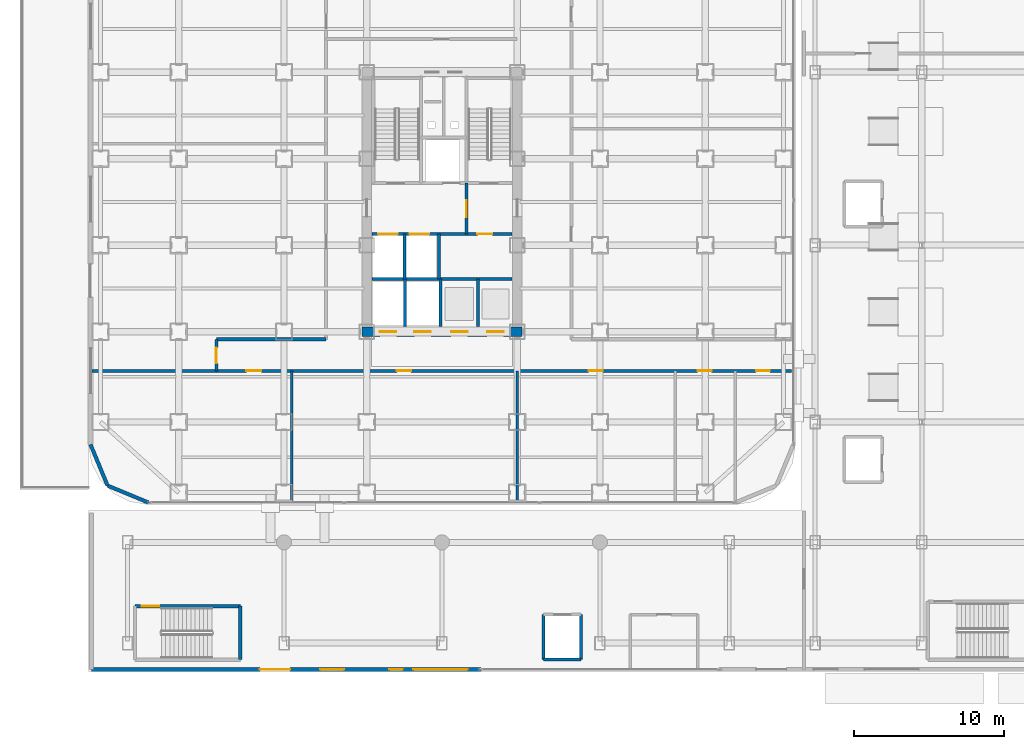
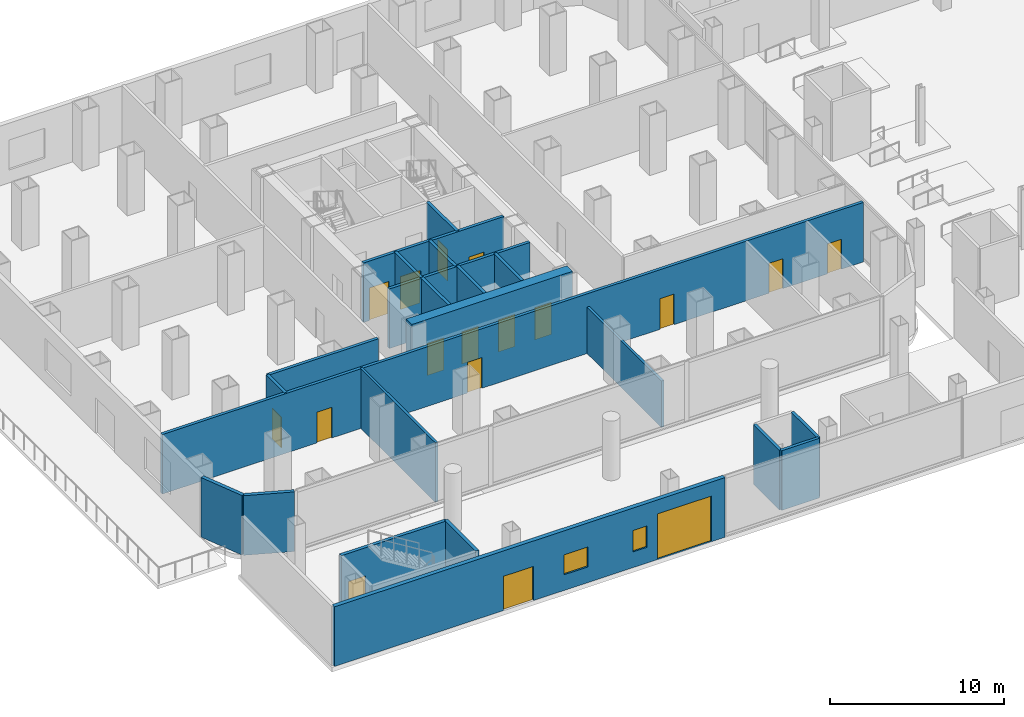
# One storey, part 20 of 31: 22 walls, 17 doors, 2 windows, 19 openings.
"""IFC4 building model written with IfcOpenShell, lengths in metres."""

from ifc_helpers import new_model, si_unit, direction, frame, frame_2d, origin, place, context, subcontext, project, spatial, rectangle, extrude, material, layer, layer_set, type_object, element, fill, save


model = new_model("IFC4")

# Units and contexts
model_context = context("Model", 3, precision=1e-05, world=origin(), true_north=direction((0.0, 1.0)))
body_context = subcontext(model_context, "Body", "Model", "MODEL_VIEW")
ifc_project = project(units=[si_unit("LENGTHUNIT", "METRE"), si_unit("AREAUNIT", "SQUARE_METRE"), si_unit("VOLUMEUNIT", "CUBIC_METRE"), si_unit("PLANEANGLEUNIT", "RADIAN"), si_unit("MASSUNIT", "GRAM", prefix="KILO")], contexts=[model_context])

# Site, building, storey
site_placement = place(None, origin())
site = spatial("IfcSite", under=ifc_project, at=site_placement, CompositionType="ELEMENT")
building_placement = place(site_placement, origin())
building = spatial("IfcBuilding", under=site, at=building_placement, Name="Kolveth Station Tower", CompositionType="ELEMENT")
storey_placement = place(building_placement, origin())
storey = spatial("IfcBuildingStorey", under=building, at=storey_placement, Name="L00", CompositionType="ELEMENT", Elevation=0.0)

# Wall, openings, doors
ifc_material_1 = material(Name="Concrete C60/75", Category="concrete")
ifc_layer_1 = layer(ifc_material_1, 0.64990234375)
ifc_layer_set_1 = layer_set([ifc_layer_1], Name="Concrete C60/75")
wall_type_1 = type_object("IfcWallType", Name="Wall_CW-650", PredefinedType="SHEAR", material=ifc_layer_set_1)
wall_1_placement = place(storey_placement, frame((18.175048828125, 11.5, 0.0), z_axis=(0.0, 0.0, 1.0), x_axis=(1.0, 0.0, 0.0)))
wall_1 = element("IfcWall", 1, at=wall_1_placement, inside=storey, type_object=wall_type_1, Name="L00 Core RC Shear Wall S", PredefinedType="SHEAR", context=body_context, shape_type="SweptSolid", body=[
    extrude(rectangle(XDim=10.64990234375, YDim=0.64990234375, at=frame_2d((5.324951171875, 0.0))), origin(), (0.0, 0.0, 1.0), 4.179931640625),
])
opening_1_placement = place(wall_1_placement, frame((1.195068359375, 0.0, 0.0)))
opening_1 = element("IfcOpeningElement", 2, at=opening_1_placement, cuts=wall_1, Name="Opening LD1", PredefinedType="OPENING", context=body_context, shape_type="SweptSolid", body=[
    extrude(rectangle(XDim=1.10009765625, YDim=2.25, at=frame_2d((0.550048828125, 1.125))), frame((0.0, 0.3349609375, 0.0), z_axis=(0.0, -1.0, 0.0), x_axis=(1.0, 0.0, 0.0)), (0.0, 0.0, 1.0), 0.669921875),
])
opening_2_placement = place(wall_1_placement, frame((3.4951171875, 0.0, 0.0)))
opening_2 = element("IfcOpeningElement", 3, at=opening_2_placement, cuts=wall_1, Name="Opening LD1", PredefinedType="OPENING", context=body_context, shape_type="SweptSolid", body=[
    extrude(rectangle(XDim=1.10009765625, YDim=2.25, at=frame_2d((0.550048828125, 1.125))), frame((0.0, 0.3349609375, 0.0), z_axis=(0.0, -1.0, 0.0), x_axis=(1.0, 0.0, 0.0)), (0.0, 0.0, 1.0), 0.669921875),
])
opening_3_placement = place(wall_1_placement, frame((5.925048828125, 0.0, 0.0)))
opening_3 = element("IfcOpeningElement", 4, at=opening_3_placement, cuts=wall_1, Name="Opening LD1", PredefinedType="OPENING", context=body_context, shape_type="SweptSolid", body=[
    extrude(rectangle(XDim=1.10009765625, YDim=2.25, at=frame_2d((0.550048828125, 1.125))), frame((0.0, 0.3349609375, 0.0), z_axis=(0.0, -1.0, 0.0), x_axis=(1.0, 0.0, 0.0)), (0.0, 0.0, 1.0), 0.669921875),
])
opening_4_placement = place(wall_1_placement, frame((8.324951171875, 0.0, 0.0)))
opening_4 = element("IfcOpeningElement", 5, at=opening_4_placement, cuts=wall_1, Name="Opening LD1", PredefinedType="OPENING", context=body_context, shape_type="SweptSolid", body=[
    extrude(rectangle(XDim=1.10009765625, YDim=2.25, at=frame_2d((0.550048828125, 1.125))), frame((0.0, 0.3349609375, 0.0), z_axis=(0.0, -1.0, 0.0), x_axis=(1.0, 0.0, 0.0)), (0.0, 0.0, 1.0), 0.669921875),
])
ifc_material_2 = material(Name="Brushed stainless steel sliding landing doors", Category="steel")
door_type_1 = type_object("IfcDoorType", Name="Door_LD1", OperationType="NOTDEFINED", PredefinedType="DOOR", material=ifc_material_2)
door_1_placement = place(opening_1_placement, frame((1.10009765625, 0.0, 0.0), z_axis=(0.0, 0.0, 1.0), x_axis=(-1.0, 0.0, 0.0)))
door_1 = element("IfcDoor", 6, at=door_1_placement, inside=storey, type_object=door_type_1, Name="L00 Lift PL1 Landing Door", OperationType="DOUBLE_DOOR_SLIDING", OverallHeight=2.25, OverallWidth=1.10009765625, PredefinedType="DOOR", context=body_context, shape_type="SweptSolid", body=[
    extrude(rectangle(XDim=1.10009765625, YDim=2.25, at=frame_2d((0.550048828125, 1.125))), frame((0.0, 0.02490234375, 0.0), z_axis=(0.0, -1.0, 0.0), x_axis=(1.0, 0.0, 0.0)), (0.0, 0.0, 1.0), 0.050048828125),
])
fill(opening_1, door_1)
door_2_placement = place(opening_2_placement, frame((1.10009765625, 0.0, 0.0), z_axis=(0.0, 0.0, 1.0), x_axis=(-1.0, 0.0, 0.0)))
door_2 = element("IfcDoor", 7, at=door_2_placement, inside=storey, type_object=door_type_1, Name="L00 Lift PL2 Landing Door", OperationType="DOUBLE_DOOR_SLIDING", OverallHeight=2.25, OverallWidth=1.10009765625, PredefinedType="DOOR", context=body_context, shape_type="SweptSolid", body=[
    extrude(rectangle(XDim=1.10009765625, YDim=2.25, at=frame_2d((0.550048828125, 1.125))), frame((0.0, 0.02490234375, 0.0), z_axis=(0.0, -1.0, 0.0), x_axis=(1.0, 0.0, 0.0)), (0.0, 0.0, 1.0), 0.050048828125),
])
fill(opening_2, door_2)
door_3_placement = place(opening_3_placement, frame((1.10009765625, 0.0, 0.0), z_axis=(0.0, 0.0, 1.0), x_axis=(-1.0, 0.0, 0.0)))
door_3 = element("IfcDoor", 8, at=door_3_placement, inside=storey, type_object=door_type_1, Name="L00 Lift PM1 Landing Door", OperationType="DOUBLE_DOOR_SLIDING", OverallHeight=2.25, OverallWidth=1.10009765625, PredefinedType="DOOR", context=body_context, shape_type="SweptSolid", body=[
    extrude(rectangle(XDim=1.10009765625, YDim=2.25, at=frame_2d((0.550048828125, 1.125))), frame((0.0, 0.02490234375, 0.0), z_axis=(0.0, -1.0, 0.0), x_axis=(1.0, 0.0, 0.0)), (0.0, 0.0, 1.0), 0.050048828125),
])
fill(opening_3, door_3)
door_4_placement = place(opening_4_placement, frame((1.10009765625, 0.0, 0.0), z_axis=(0.0, 0.0, 1.0), x_axis=(-1.0, 0.0, 0.0)))
door_4 = element("IfcDoor", 9, at=door_4_placement, inside=storey, type_object=door_type_1, Name="L00 Lift PH1 Landing Door", OperationType="DOUBLE_DOOR_SLIDING", OverallHeight=2.25, OverallWidth=1.10009765625, PredefinedType="DOOR", context=body_context, shape_type="SweptSolid", body=[
    extrude(rectangle(XDim=1.10009765625, YDim=2.25, at=frame_2d((0.550048828125, 1.125))), frame((0.0, 0.02490234375, 0.0), z_axis=(0.0, -1.0, 0.0), x_axis=(1.0, 0.0, 0.0)), (0.0, 0.0, 1.0), 0.050048828125),
])
fill(opening_4, door_4)

# Walls
ifc_material_3 = material(Name="Precast concrete C40/50", Category="concrete")
ifc_layer_2 = layer(ifc_material_3, 0.239990234375)
ifc_layer_set_2 = layer_set([ifc_layer_2], Name="Precast concrete C40/50")
wall_type_2 = type_object("IfcWallType", Name="Wall_EW-240", PredefinedType="SOLIDWALL", material=ifc_layer_set_2)
for number, where, z_axis, x_axis, name in (
    (10, (0.139892578125, 4.0, 0.0), (0.0, 0.0, 1.0), (0.382689947836, -0.923876833688, 0.0), "L00 Podium Rounded Corner Wall 7"),
    (11, (1.2705078125, 1.2705078125, 0.0), (0.0, 0.0, 1.0), (0.923876833688, -0.382689947836, 0.0), "L00 Podium Rounded Corner Wall 8"),
):
    element("IfcWall", number, at=place(storey_placement, frame(where, z_axis=z_axis, x_axis=x_axis)), inside=storey, type_object=wall_type_2, Name=name, PredefinedType="SOLIDWALL", context=body_context, shape_type="SweptSolid", body=[
        extrude(rectangle(XDim=2.954345703125, YDim=0.239990234375, at=frame_2d((1.47705078125, 0.0))), origin(), (0.0, 0.0, 1.0), 4.179931640625),
    ])

# Wall, openings, doors, windows
ifc_layer_3 = layer(ifc_material_3, 0.280029296875)
ifc_layer_set_3 = layer_set([ifc_layer_3], Name="Precast concrete C40/50")
wall_type_3 = type_object("IfcWallType", Name="Wall_EW-280", PredefinedType="SOLIDWALL", material=ifc_layer_set_3)
wall_2_placement = place(storey_placement, frame((0.199951171875, -10.949951171875, 0.0), z_axis=(0.0, 0.0, 1.0), x_axis=(1.0, 0.0, 0.0)))
wall_2 = element("IfcWall", 12, at=wall_2_placement, inside=storey, type_object=wall_type_3, Name="L00 Station Exterior Wall S1", PredefinedType="SOLIDWALL", context=body_context, shape_type="SweptSolid", body=[
    extrude(rectangle(XDim=25.900146484375, YDim=0.280029296875, at=frame_2d((12.9501953125, 0.0))), origin(), (0.0, 0.0, 1.0), 4.179931640625),
])
opening_5_placement = place(wall_2_placement, frame((15.199951171875, 0.0, 1.10009765625)))
opening_5 = element("IfcOpeningElement", 13, at=opening_5_placement, cuts=wall_2, Name="Opening W7", PredefinedType="OPENING", context=body_context, shape_type="SweptSolid", body=[
    extrude(rectangle(XDim=1.60009765625, YDim=1.39990234375, at=frame_2d((0.800048828125, 0.699951171875))), frame((0.0, 0.14990234375, 0.0), z_axis=(0.0, -1.0, 0.0), x_axis=(1.0, 0.0, 0.0)), (0.0, 0.0, 1.0), 0.300048828125),
])
opening_6_placement = place(wall_2_placement, frame((19.800048828125, 0.0, 1.10009765625)))
opening_6 = element("IfcOpeningElement", 14, at=opening_6_placement, cuts=wall_2, Name="Opening W8", PredefinedType="OPENING", context=body_context, shape_type="SweptSolid", body=[
    extrude(rectangle(XDim=0.89990234375, YDim=1.5, at=frame_2d((0.449951171875, 0.75))), frame((0.0, 0.14990234375, 0.0), z_axis=(0.0, -1.0, 0.0), x_axis=(1.0, 0.0, 0.0)), (0.0, 0.0, 1.0), 0.300048828125),
])
opening_7_placement = place(wall_2_placement, frame((11.199951171875, 0.0, 0.0)))
opening_7 = element("IfcOpeningElement", 15, at=opening_7_placement, cuts=wall_2, Name="Opening ED1", PredefinedType="OPENING", context=body_context, shape_type="SweptSolid", body=[
    extrude(rectangle(XDim=2.0, YDim=2.39990234375, at=frame_2d((1.0, 1.199951171875))), frame((0.0, 0.14990234375, 0.0), z_axis=(0.0, -1.0, 0.0), x_axis=(1.0, 0.0, 0.0)), (0.0, 0.0, 1.0), 0.300048828125),
])
opening_8_placement = place(wall_2_placement, frame((21.39990234375, 0.0, 0.0)))
opening_8 = element("IfcOpeningElement", 16, at=opening_8_placement, cuts=wall_2, Name="Opening SG1", PredefinedType="OPENING", context=body_context, shape_type="SweptSolid", body=[
    extrude(rectangle(XDim=3.60009765625, YDim=3.199951171875, at=frame_2d((1.800048828125, 1.60009765625))), frame((0.0, 0.14990234375, 0.0), z_axis=(0.0, -1.0, 0.0), x_axis=(1.0, 0.0, 0.0)), (0.0, 0.0, 1.0), 0.300048828125),
])
ifc_material_4 = material(Name="Black anodized aluminium 6063-T6 and laminated glass", Category="aluminium")
door_type_2 = type_object("IfcDoorType", Name="Door_ED1", OperationType="NOTDEFINED", PredefinedType="DOOR", material=ifc_material_4)
door_5_placement = place(opening_7_placement, origin())
door_5 = element("IfcDoor", 17, at=door_5_placement, inside=storey, type_object=door_type_2, Name="L00 Station South Revolving Entrance Door 1", OperationType="REVOLVING", OverallHeight=2.39990234375, OverallWidth=2.0, PredefinedType="DOOR", context=body_context, shape_type="SweptSolid", body=[
    extrude(rectangle(XDim=2.0, YDim=2.39990234375, at=frame_2d((1.0, 1.199951171875))), frame((0.0, 0.02490234375, 0.0), z_axis=(0.0, -1.0, 0.0), x_axis=(1.0, 0.0, 0.0)), (0.0, 0.0, 1.0), 0.050048828125),
])
fill(opening_7, door_5)
ifc_material_5 = material(Name="Insulated Steel S355 station service gate", Category="steel")
door_type_3 = type_object("IfcDoorType", Name="Door_SG1", OperationType="NOTDEFINED", PredefinedType="GATE", material=ifc_material_5)
door_6_placement = place(opening_8_placement, origin())
door_6 = element("IfcDoor", 18, at=door_6_placement, inside=storey, type_object=door_type_3, Name="L00 Station Night Security Gate 1", OperationType="ROLLINGUP", OverallHeight=3.199951171875, OverallWidth=3.60009765625, PredefinedType="GATE", context=body_context, shape_type="SweptSolid", body=[
    extrude(rectangle(XDim=3.60009765625, YDim=3.199951171875, at=frame_2d((1.800048828125, 1.60009765625))), frame((0.0, 0.02490234375, 0.0), z_axis=(0.0, -1.0, 0.0), x_axis=(1.0, 0.0, 0.0)), (0.0, 0.0, 1.0), 0.050048828125),
])
fill(opening_8, door_6)
ifc_material_6 = material(Name="Black anodized aluminium 6063-T6 and triple low-E glass", Category="aluminium")
window_type_1 = type_object("IfcWindowType", Name="Win_W7", PartitioningType="SINGLE_PANEL", PredefinedType="WINDOW", material=ifc_material_6)
window_1_placement = place(opening_5_placement, origin())
window_1 = element("IfcWindow", 19, at=window_1_placement, inside=storey, type_object=window_type_1, Name="L00 Station Hall Window 1", OverallHeight=1.39990234375, OverallWidth=1.60009765625, PartitioningType="SINGLE_PANEL", PredefinedType="WINDOW", context=body_context, shape_type="SweptSolid", body=[
    extrude(rectangle(XDim=1.60009765625, YDim=1.39990234375, at=frame_2d((0.800048828125, 0.699951171875))), frame((0.0, 0.030029296875, 0.0), z_axis=(0.0, -1.0, 0.0), x_axis=(1.0, 0.0, 0.0)), (0.0, 0.0, 1.0), 0.06005859375),
])
fill(opening_5, window_1)
ifc_material_7 = material(Name="Black anodized aluminium 6063-T6 and frosted glass", Category="aluminium")
window_type_2 = type_object("IfcWindowType", Name="Win_W8", PartitioningType="SINGLE_PANEL", PredefinedType="WINDOW", material=ifc_material_7)
window_2_placement = place(opening_6_placement, origin())
window_2 = element("IfcWindow", 20, at=window_2_placement, inside=storey, type_object=window_type_2, Name="L00 Station Hall Window 2", OverallHeight=1.5, OverallWidth=0.89990234375, PartitioningType="SINGLE_PANEL", PredefinedType="WINDOW", context=body_context, shape_type="SweptSolid", body=[
    extrude(rectangle(XDim=0.89990234375, YDim=1.5, at=frame_2d((0.449951171875, 0.75))), frame((0.0, 0.030029296875, 0.0), z_axis=(0.0, -1.0, 0.0), x_axis=(1.0, 0.0, 0.0)), (0.0, 0.0, 1.0), 0.06005859375),
])
fill(opening_6, window_2)

# Walls
ifc_material_8 = material(Name="Acoustic double-stud gypsum partition")
ifc_layer_4 = layer(ifc_material_8, 0.1650390625)
ifc_layer_set_4 = layer_set([ifc_layer_4], Name="Acoustic double-stud gypsum partition")
wall_type_4 = type_object("IfcWallType", Name="Wall_IW-165", PredefinedType="PARTITIONING", material=ifc_layer_set_4)
wall_3_placement = place(storey_placement, frame((13.5, 0.25, 0.0), z_axis=(0.0, 0.0, 1.0), x_axis=(0.0, 1.0, 0.0)))
element("IfcWall", 21, at=wall_3_placement, inside=storey, type_object=wall_type_4, Name="L00 Partition Wall WL-L00-TL0S-P1", PredefinedType="PARTITIONING", context=body_context, shape_type="SweptSolid", body=[
    extrude(rectangle(XDim=8.64990234375, YDim=0.1650390625, at=frame_2d((4.324951171875, 0.0))), origin(), (0.0, 0.0, 1.0), 4.179931640625),
])
wall_4_placement = place(storey_placement, frame((28.5, 0.25, 0.0), z_axis=(0.0, 0.0, 1.0), x_axis=(0.0, 1.0, 0.0)))
element("IfcWall", 22, at=wall_4_placement, inside=storey, type_object=wall_type_4, Name="L00 Partition Wall WL-L00-TL0S-P2", PredefinedType="PARTITIONING", context=body_context, shape_type="SweptSolid", body=[
    extrude(rectangle(XDim=8.64990234375, YDim=0.1650390625, at=frame_2d((4.324951171875, 0.0))), origin(), (0.0, 0.0, 1.0), 3.2529296875),
])

# Wall, opening, door
ifc_material_9 = material(Name="Acoustic fire-rated gypsum blockwork", Category="masonry")
ifc_layer_5 = layer(ifc_material_9, 0.199951171875)
ifc_layer_set_5 = layer_set([ifc_layer_5], Name="Acoustic fire-rated gypsum blockwork")
wall_type_5 = type_object("IfcWallType", Name="Wall_IW-200", PredefinedType="PARTITIONING", material=ifc_layer_set_5)
wall_5_placement = place(storey_placement, frame((25.1298828125, 18.0, 0.0), z_axis=(0.0, 0.0, 1.0), x_axis=(0.0, 1.0, 0.0)))
wall_5 = element("IfcWall", 23, at=wall_5_placement, inside=storey, type_object=wall_type_5, Name="L00 Partition Wall WL-L00-FFL-E", PredefinedType="PARTITIONING", context=body_context, shape_type="SweptSolid", body=[
    extrude(rectangle(XDim=3.389892578125, YDim=0.199951171875, at=frame_2d((1.69482421875, 0.0))), origin(), (0.0, 0.0, 1.0), 4.179931640625),
])
opening_9_placement = place(wall_5_placement, frame((1.10009765625, 0.0, 0.0)))
opening_9 = element("IfcOpeningElement", 24, at=opening_9_placement, cuts=wall_5, Name="Opening FD1", PredefinedType="OPENING", context=body_context, shape_type="SweptSolid", body=[
    extrude(rectangle(XDim=1.14990234375, YDim=2.199951171875, at=frame_2d((0.574951171875, 1.10009765625))), frame((0.0, 0.10986328125, 0.0), z_axis=(0.0, -1.0, 0.0), x_axis=(1.0, 0.0, 0.0)), (0.0, 0.0, 1.0), 0.219970703125),
])
ifc_material_10 = material(Name="Fire-rated Steel S355 leaf and frame", Category="steel")
door_type_4 = type_object("IfcDoorType", Name="Door_FD1", OperationType="NOTDEFINED", PredefinedType="DOOR", material=ifc_material_10)
door_7_placement = place(opening_9_placement, origin())
door_7 = element("IfcDoor", 25, at=door_7_placement, inside=storey, type_object=door_type_4, Name="L00 Firefighting to Stair Lobby Door", OperationType="SINGLE_SWING_LEFT", OverallHeight=2.199951171875, OverallWidth=1.14990234375, PredefinedType="DOOR", context=body_context, shape_type="SweptSolid", body=[
    extrude(rectangle(XDim=1.14990234375, YDim=2.199951171875, at=frame_2d((0.574951171875, 1.10009765625))), frame((0.0, 0.02490234375, 0.0), z_axis=(0.0, -1.0, 0.0), x_axis=(1.0, 0.0, 0.0)), (0.0, 0.0, 1.0), 0.050048828125),
])
fill(opening_9, door_7)

# Wall, openings, doors
wall_6_placement = place(storey_placement, frame((18.8349609375, 18.0, 0.0), z_axis=(0.0, 0.0, 1.0), x_axis=(1.0, 0.0, 0.0)))
wall_6 = element("IfcWall", 26, at=wall_6_placement, inside=storey, type_object=wall_type_5, Name="L00 Partition Wall WL-L00-FFL-S", PredefinedType="PARTITIONING", context=body_context, shape_type="SweptSolid", body=[
    extrude(rectangle(XDim=9.330078125, YDim=0.199951171875, at=frame_2d((4.6650390625, 0.0))), origin(), (0.0, 0.0, 1.0), 4.179931640625),
])
opening_10_placement = place(wall_6_placement, frame((0.4150390625, 0.0, 0.0)))
opening_10 = element("IfcOpeningElement", 27, at=opening_10_placement, cuts=wall_6, Name="Opening LD2", PredefinedType="OPENING", context=body_context, shape_type="SweptSolid", body=[
    extrude(rectangle(XDim=1.300048828125, YDim=2.300048828125, at=frame_2d((0.64990234375, 1.14990234375))), frame((0.0, 0.10986328125, 0.0), z_axis=(0.0, -1.0, 0.0), x_axis=(1.0, 0.0, 0.0)), (0.0, 0.0, 1.0), 0.219970703125),
])
opening_11_placement = place(wall_6_placement, frame((2.514892578125, 0.0, 0.0)))
opening_11 = element("IfcOpeningElement", 28, at=opening_11_placement, cuts=wall_6, Name="Opening LD2", PredefinedType="OPENING", context=body_context, shape_type="SweptSolid", body=[
    extrude(rectangle(XDim=1.300048828125, YDim=2.300048828125, at=frame_2d((0.64990234375, 1.14990234375))), frame((0.0, 0.10986328125, 0.0), z_axis=(0.0, -1.0, 0.0), x_axis=(1.0, 0.0, 0.0)), (0.0, 0.0, 1.0), 0.219970703125),
])
opening_12_placement = place(wall_6_placement, frame((7.014892578125, 0.0, 0.0)))
opening_12 = element("IfcOpeningElement", 29, at=opening_12_placement, cuts=wall_6, Name="Opening FD3", PredefinedType="OPENING", context=body_context, shape_type="SweptSolid", body=[
    extrude(rectangle(XDim=1.0, YDim=2.14990234375, at=frame_2d((0.5, 1.074951171875))), frame((0.0, 0.10986328125, 0.0), z_axis=(0.0, -1.0, 0.0), x_axis=(1.0, 0.0, 0.0)), (0.0, 0.0, 1.0), 0.219970703125),
])
ifc_material_11 = material(Name="Fire-rated hardwood leaf and aluminium frame", Category="wood")
door_type_5 = type_object("IfcDoorType", Name="Door_FD3", OperationType="NOTDEFINED", PredefinedType="DOOR", material=ifc_material_11)
door_8_placement = place(opening_12_placement, frame((1.0, 0.0, 0.0), z_axis=(0.0, 0.0, 1.0), x_axis=(-1.0, 0.0, 0.0)))
door_8 = element("IfcDoor", 30, at=door_8_placement, inside=storey, type_object=door_type_5, Name="L00 Core Staff Pantry Door", OperationType="SINGLE_SWING_LEFT", OverallHeight=2.14990234375, OverallWidth=1.0, PredefinedType="DOOR", context=body_context, shape_type="SweptSolid", body=[
    extrude(rectangle(XDim=1.0, YDim=2.14990234375, at=frame_2d((0.5, 1.074951171875))), frame((0.0, 0.02490234375, 0.0), z_axis=(0.0, -1.0, 0.0), x_axis=(1.0, 0.0, 0.0)), (0.0, 0.0, 1.0), 0.050048828125),
])
fill(opening_12, door_8)
ifc_material_12 = material(Name="Firefighting stainless steel sliding landing doors", Category="steel")
door_type_6 = type_object("IfcDoorType", Name="Door_LD2", OperationType="NOTDEFINED", PredefinedType="DOOR", material=ifc_material_12)
door_9_placement = place(opening_10_placement, origin())
door_9 = element("IfcDoor", 31, at=door_9_placement, inside=storey, type_object=door_type_6, Name="L00 Firefighting Lift FF1 Landing Door", OperationType="DOUBLE_DOOR_SLIDING", OverallHeight=2.300048828125, OverallWidth=1.300048828125, PredefinedType="DOOR", context=body_context, shape_type="SweptSolid", body=[
    extrude(rectangle(XDim=1.300048828125, YDim=2.300048828125, at=frame_2d((0.64990234375, 1.14990234375))), frame((0.0, 0.02490234375, 0.0), z_axis=(0.0, -1.0, 0.0), x_axis=(1.0, 0.0, 0.0)), (0.0, 0.0, 1.0), 0.050048828125),
])
fill(opening_10, door_9)
door_10_placement = place(opening_11_placement, origin())
door_10 = element("IfcDoor", 32, at=door_10_placement, inside=storey, type_object=door_type_6, Name="L00 Firefighting Lift FF2 Landing Door", OperationType="DOUBLE_DOOR_SLIDING", OverallHeight=2.300048828125, OverallWidth=1.300048828125, PredefinedType="DOOR", context=body_context, shape_type="SweptSolid", body=[
    extrude(rectangle(XDim=1.300048828125, YDim=2.300048828125, at=frame_2d((0.64990234375, 1.14990234375))), frame((0.0, 0.02490234375, 0.0), z_axis=(0.0, -1.0, 0.0), x_axis=(1.0, 0.0, 0.0)), (0.0, 0.0, 1.0), 0.050048828125),
])
fill(opening_11, door_10)

# Walls
for number, where, z_axis, x_axis, name in (
    (33, (21.02001953125, 15.0, 0.0), (0.0, 0.0, 1.0), (0.0, 1.0, 0.0), "L00 Partition Wall WL-L00-FF12"),
    (34, (23.300048828125, 15.0, 0.0), (0.0, 0.0, 1.0), (0.0, 1.0, 0.0), "L00 Partition Wall WL-L00-FF2E"),
):
    element("IfcWall", number, at=place(storey_placement, frame(where, z_axis=z_axis, x_axis=x_axis)), inside=storey, type_object=wall_type_5, Name=name, PredefinedType="PARTITIONING", context=body_context, shape_type="SweptSolid", body=[
        extrude(rectangle(XDim=3.0, YDim=0.199951171875, at=frame_2d((1.5, 0.0))), origin(), (0.0, 0.0, 1.0), 4.179931640625),
    ])
wall_7_placement = place(storey_placement, frame((18.8349609375, 15.0, 0.0), z_axis=(0.0, 0.0, 1.0), x_axis=(1.0, 0.0, 0.0)))
element("IfcWall", 35, at=wall_7_placement, inside=storey, type_object=wall_type_5, Name="L00 Partition Wall WL-L00-BOH-S", PredefinedType="PARTITIONING", context=body_context, shape_type="SweptSolid", body=[
    extrude(rectangle(XDim=9.330078125, YDim=0.199951171875, at=frame_2d((4.6650390625, 0.0))), origin(), (0.0, 0.0, 1.0), 4.179931640625),
])
for number, where, z_axis, x_axis, name in (
    (36, (21.050048828125, 11.8349609375, 0.0), (0.0, 0.0, 1.0), (0.0, 1.0, 0.0), "L00 Partition Wall WL-L00-PL12"),
    (37, (23.39990234375, 11.8349609375, 0.0), (0.0, 0.0, 1.0), (0.0, 1.0, 0.0), "L00 Partition Wall WL-L00-PL2E"),
    (38, (25.89990234375, 11.8349609375, 0.0), (0.0, 0.0, 1.0), (0.0, 1.0, 0.0), "L00 Partition Wall WL-L00-PMPH"),
):
    element("IfcWall", number, at=place(storey_placement, frame(where, z_axis=z_axis, x_axis=x_axis)), inside=storey, type_object=wall_type_5, Name=name, PredefinedType="PARTITIONING", context=body_context, shape_type="SweptSolid", body=[
        extrude(rectangle(XDim=3.1650390625, YDim=0.199951171875, at=frame_2d((1.58251953125, 0.0))), origin(), (0.0, 0.0, 1.0), 4.179931640625),
    ])

# Wall, openings, doors
wall_8_placement = place(storey_placement, frame((0.25, 8.89990234375, 0.0), z_axis=(0.0, 0.0, 1.0), x_axis=(1.0, 0.0, 0.0)))
wall_8 = element("IfcWall", 39, at=wall_8_placement, inside=storey, type_object=wall_type_5, Name="L00 Partition Wall WL-L00-BS", PredefinedType="PARTITIONING", context=body_context, shape_type="SweptSolid", body=[
    extrude(rectangle(XDim=46.5, YDim=0.199951171875, at=frame_2d((23.25, 0.0))), origin(), (0.0, 0.0, 1.0), 4.179931640625),
])
opening_13_placement = place(wall_8_placement, frame((10.25, 0.0, 0.0)))
opening_13 = element("IfcOpeningElement", 40, at=opening_13_placement, cuts=wall_8, Name="Opening FD3", PredefinedType="OPENING", context=body_context, shape_type="SweptSolid", body=[
    extrude(rectangle(XDim=1.0, YDim=2.14990234375, at=frame_2d((0.5, 1.074951171875))), frame((0.0, 0.10986328125, 0.0), z_axis=(0.0, -1.0, 0.0), x_axis=(1.0, 0.0, 0.0)), (0.0, 0.0, 1.0), 0.219970703125),
])
opening_14_placement = place(wall_8_placement, frame((20.25, 0.0, 0.0)))
opening_14 = element("IfcOpeningElement", 41, at=opening_14_placement, cuts=wall_8, Name="Opening ID1", PredefinedType="OPENING", context=body_context, shape_type="SweptSolid", body=[
    extrude(rectangle(XDim=0.949951171875, YDim=2.14990234375, at=frame_2d((0.47509765625, 1.074951171875))), frame((0.0, 0.10986328125, 0.0), z_axis=(0.0, -1.0, 0.0), x_axis=(1.0, 0.0, 0.0)), (0.0, 0.0, 1.0), 0.219970703125),
])
opening_15_placement = place(wall_8_placement, frame((33.0, 0.0, 0.0)))
opening_15 = element("IfcOpeningElement", 42, at=opening_15_placement, cuts=wall_8, Name="Opening ID1", PredefinedType="OPENING", context=body_context, shape_type="SweptSolid", body=[
    extrude(rectangle(XDim=0.949951171875, YDim=2.14990234375, at=frame_2d((0.47509765625, 1.074951171875))), frame((0.0, 0.10986328125, 0.0), z_axis=(0.0, -1.0, 0.0), x_axis=(1.0, 0.0, 0.0)), (0.0, 0.0, 1.0), 0.219970703125),
])
opening_16_placement = place(wall_8_placement, frame((40.25, 0.0, 0.0)))
opening_16 = element("IfcOpeningElement", 43, at=opening_16_placement, cuts=wall_8, Name="Opening ID2", PredefinedType="OPENING", context=body_context, shape_type="SweptSolid", body=[
    extrude(rectangle(XDim=0.919921875, YDim=2.10009765625, at=frame_2d((0.4599609375, 1.050048828125))), frame((0.0, 0.10986328125, 0.0), z_axis=(0.0, -1.0, 0.0), x_axis=(1.0, 0.0, 0.0)), (0.0, 0.0, 1.0), 0.219970703125),
])
opening_17_placement = place(wall_8_placement, frame((44.125, 0.0, 0.0)))
opening_17 = element("IfcOpeningElement", 44, at=opening_17_placement, cuts=wall_8, Name="Opening ID2", PredefinedType="OPENING", context=body_context, shape_type="SweptSolid", body=[
    extrude(rectangle(XDim=0.919921875, YDim=2.10009765625, at=frame_2d((0.4599609375, 1.050048828125))), frame((0.0, 0.10986328125, 0.0), z_axis=(0.0, -1.0, 0.0), x_axis=(1.0, 0.0, 0.0)), (0.0, 0.0, 1.0), 0.219970703125),
])
door_11_placement = place(opening_13_placement, frame((1.0, 0.0, 0.0), z_axis=(0.0, 0.0, 1.0), x_axis=(-1.0, 0.0, 0.0)))
door_11 = element("IfcDoor", 45, at=door_11_placement, inside=storey, type_object=door_type_5, Name="L00 Fire Command Room Door", OperationType="SINGLE_SWING_RIGHT", OverallHeight=2.14990234375, OverallWidth=1.0, PredefinedType="DOOR", context=body_context, shape_type="SweptSolid", body=[
    extrude(rectangle(XDim=1.0, YDim=2.14990234375, at=frame_2d((0.5, 1.074951171875))), frame((0.0, 0.02490234375, 0.0), z_axis=(0.0, -1.0, 0.0), x_axis=(1.0, 0.0, 0.0)), (0.0, 0.0, 1.0), 0.050048828125),
])
fill(opening_13, door_11)
ifc_material_13 = material(Name="Acoustic hardwood leaf and aluminium frame", Category="wood")
door_type_7 = type_object("IfcDoorType", Name="Door_ID1", OperationType="NOTDEFINED", PredefinedType="DOOR", material=ifc_material_13)
door_12_placement = place(opening_14_placement, frame((0.949951171875, 0.0, 0.0), z_axis=(0.0, 0.0, 1.0), x_axis=(-1.0, 0.0, 0.0)))
door_12 = element("IfcDoor", 46, at=door_12_placement, inside=storey, type_object=door_type_7, Name="L00 Tower Main Entrance Hall Door", OperationType="SINGLE_SWING_LEFT", OverallHeight=2.14990234375, OverallWidth=0.949951171875, PredefinedType="DOOR", context=body_context, shape_type="SweptSolid", body=[
    extrude(rectangle(XDim=0.949951171875, YDim=2.14990234375, at=frame_2d((0.47509765625, 1.074951171875))), frame((0.0, 0.02490234375, 0.0), z_axis=(0.0, -1.0, 0.0), x_axis=(1.0, 0.0, 0.0)), (0.0, 0.0, 1.0), 0.050048828125),
])
fill(opening_14, door_12)
door_13_placement = place(opening_15_placement, frame((0.949951171875, 0.0, 0.0), z_axis=(0.0, 0.0, 1.0), x_axis=(-1.0, 0.0, 0.0)))
door_13 = element("IfcDoor", 47, at=door_13_placement, inside=storey, type_object=door_type_7, Name="L00 Transit Retail Unit 1 Door", OperationType="SINGLE_SWING_RIGHT", OverallHeight=2.14990234375, OverallWidth=0.949951171875, PredefinedType="DOOR", context=body_context, shape_type="SweptSolid", body=[
    extrude(rectangle(XDim=0.949951171875, YDim=2.14990234375, at=frame_2d((0.47509765625, 1.074951171875))), frame((0.0, 0.02490234375, 0.0), z_axis=(0.0, -1.0, 0.0), x_axis=(1.0, 0.0, 0.0)), (0.0, 0.0, 1.0), 0.050048828125),
])
fill(opening_15, door_13)
ifc_material_14 = material(Name="Moisture-resistant hardwood leaf", Category="wood")
door_type_8 = type_object("IfcDoorType", Name="Door_ID2", OperationType="NOTDEFINED", PredefinedType="DOOR", material=ifc_material_14)
door_14_placement = place(opening_16_placement, frame((0.919921875, 0.0, 0.0), z_axis=(0.0, 0.0, 1.0), x_axis=(-1.0, 0.0, 0.0)))
door_14 = element("IfcDoor", 48, at=door_14_placement, inside=storey, type_object=door_type_8, Name="L00 Ground Public Toilet Door", OperationType="SINGLE_SWING_LEFT", OverallHeight=2.10009765625, OverallWidth=0.919921875, PredefinedType="DOOR", context=body_context, shape_type="SweptSolid", body=[
    extrude(rectangle(XDim=0.919921875, YDim=2.10009765625, at=frame_2d((0.4599609375, 1.050048828125))), frame((0.0, 0.02490234375, 0.0), z_axis=(0.0, -1.0, 0.0), x_axis=(1.0, 0.0, 0.0)), (0.0, 0.0, 1.0), 0.050048828125),
])
fill(opening_16, door_14)
door_15_placement = place(opening_17_placement, frame((0.919921875, 0.0, 0.0), z_axis=(0.0, 0.0, 1.0), x_axis=(-1.0, 0.0, 0.0)))
door_15 = element("IfcDoor", 49, at=door_15_placement, inside=storey, type_object=door_type_8, Name="L00 Accessible Ground WC Door", OperationType="SINGLE_SWING_LEFT", OverallHeight=2.10009765625, OverallWidth=0.919921875, PredefinedType="DOOR", context=body_context, shape_type="SweptSolid", body=[
    extrude(rectangle(XDim=0.919921875, YDim=2.10009765625, at=frame_2d((0.4599609375, 1.050048828125))), frame((0.0, 0.02490234375, 0.0), z_axis=(0.0, -1.0, 0.0), x_axis=(1.0, 0.0, 0.0)), (0.0, 0.0, 1.0), 0.050048828125),
])
fill(opening_17, door_15)

# Wall
wall_9_placement = place(storey_placement, frame((8.5, 11.0, 0.0), z_axis=(0.0, 0.0, 1.0), x_axis=(1.0, 0.0, 0.0)))
element("IfcWall", 50, at=wall_9_placement, inside=storey, type_object=wall_type_5, Name="L00 Partition Wall WL-L00-BST1", PredefinedType="PARTITIONING", context=body_context, shape_type="SweptSolid", body=[
    extrude(rectangle(XDim=7.300048828125, YDim=0.199951171875, at=frame_2d((3.64990234375, 0.0))), origin(), (0.0, 0.0, 1.0), 4.179931640625),
])

# Wall, opening, door
wall_10_placement = place(storey_placement, frame((8.5, 8.89990234375, 0.0), z_axis=(0.0, 0.0, 1.0), x_axis=(0.0, 1.0, 0.0)))
wall_10 = element("IfcWall", 51, at=wall_10_placement, inside=storey, type_object=wall_type_5, Name="L00 Partition Wall WL-L00-BSWE", PredefinedType="PARTITIONING", context=body_context, shape_type="SweptSolid", body=[
    extrude(rectangle(XDim=2.10009765625, YDim=0.199951171875, at=frame_2d((1.050048828125, 0.0))), origin(), (0.0, 0.0, 1.0), 4.179931640625),
])
opening_18_placement = place(wall_10_placement, frame((0.5, 0.0, 0.0)))
opening_18 = element("IfcOpeningElement", 52, at=opening_18_placement, cuts=wall_10, Name="Opening FD2", PredefinedType="OPENING", context=body_context, shape_type="SweptSolid", body=[
    extrude(rectangle(XDim=1.050048828125, YDim=2.14990234375, at=frame_2d((0.52490234375, 1.074951171875))), frame((0.0, 0.10986328125, 0.0), z_axis=(0.0, -1.0, 0.0), x_axis=(1.0, 0.0, 0.0)), (0.0, 0.0, 1.0), 0.219970703125),
])
door_type_9 = type_object("IfcDoorType", Name="Door_FD2", OperationType="NOTDEFINED", PredefinedType="DOOR", material=ifc_material_10)
door_16_placement = place(opening_18_placement, frame((1.050048828125, 0.0, 0.0), z_axis=(0.0, 0.0, 1.0), x_axis=(-1.0, 0.0, 0.0)))
door_16 = element("IfcDoor", 53, at=door_16_placement, inside=storey, type_object=door_type_9, Name="L00 Fire Equipment Store Door", OperationType="SINGLE_SWING_LEFT", OverallHeight=2.14990234375, OverallWidth=1.050048828125, PredefinedType="DOOR", context=body_context, shape_type="SweptSolid", body=[
    extrude(rectangle(XDim=1.050048828125, YDim=2.14990234375, at=frame_2d((0.52490234375, 1.074951171875))), frame((0.0, 0.02490234375, 0.0), z_axis=(0.0, -1.0, 0.0), x_axis=(1.0, 0.0, 0.0)), (0.0, 0.0, 1.0), 0.050048828125),
])
fill(opening_18, door_16)

# Walls
wall_11_placement = place(storey_placement, frame((30.25, -10.300048828125, 0.0), z_axis=(0.0, 0.0, 1.0), x_axis=(1.0, 0.0, 0.0)))
element("IfcWall", 54, at=wall_11_placement, inside=storey, type_object=wall_type_5, Name="L00 Partition Wall WL-L00-SL3-S", PredefinedType="PARTITIONING", context=body_context, shape_type="SweptSolid", body=[
    extrude(rectangle(XDim=2.5, YDim=0.199951171875, at=frame_2d((1.25, 0.0))), origin(), (0.0, 0.0, 1.0), 4.179931640625),
])
for number, where, z_axis, x_axis, name in (
    (55, (30.25, -10.300048828125, 0.0), (0.0, 0.0, 1.0), (0.0, 1.0, 0.0), "L00 Partition Wall WL-L00-SL3-W"),
    (56, (32.75, -10.300048828125, 0.0), (0.0, 0.0, 1.0), (0.0, 1.0, 0.0), "L00 Partition Wall WL-L00-SL3-E"),
):
    element("IfcWall", number, at=place(storey_placement, frame(where, z_axis=z_axis, x_axis=x_axis)), inside=storey, type_object=wall_type_5, Name=name, PredefinedType="PARTITIONING", context=body_context, shape_type="SweptSolid", body=[
        extrude(rectangle(XDim=3.0, YDim=0.199951171875, at=frame_2d((1.5, 0.0))), origin(), (0.0, 0.0, 1.0), 4.179931640625),
    ])

# Wall, opening, door
ifc_material_15 = material(Name="Concrete C40/50", Category="concrete")
ifc_layer_6 = layer(ifc_material_15, 0.219970703125)
ifc_layer_set_6 = layer_set([ifc_layer_6], Name="Concrete C40/50")
wall_type_6 = type_object("IfcWallType", Name="Wall_IW-220", PredefinedType="SOLIDWALL", material=ifc_layer_set_6)
wall_12_placement = place(storey_placement, frame((3.10009765625, -6.739990234375, 0.0), z_axis=(0.0, 0.0, 1.0), x_axis=(1.0, 0.0, 0.0)))
wall_12 = element("IfcWall", 57, at=wall_12_placement, inside=storey, type_object=wall_type_6, Name="L00 Stair Shaft Wall WL-L00-ST5-N", PredefinedType="SOLIDWALL", context=body_context, shape_type="SweptSolid", body=[
    extrude(rectangle(XDim=7.0, YDim=0.219970703125, at=frame_2d((3.5, 0.0))), origin(), (0.0, 0.0, 1.0), 4.179931640625),
])
opening_19_placement = place(wall_12_placement, frame((0.449951171875, 0.0, 0.0)))
opening_19 = element("IfcOpeningElement", 58, at=opening_19_placement, cuts=wall_12, Name="Opening FD1", PredefinedType="OPENING", context=body_context, shape_type="SweptSolid", body=[
    extrude(rectangle(XDim=1.14990234375, YDim=2.199951171875, at=frame_2d((0.574951171875, 1.10009765625))), frame((0.0, 0.119873046875, 0.0), z_axis=(0.0, -1.0, 0.0), x_axis=(1.0, 0.0, 0.0)), (0.0, 0.0, 1.0), 0.239990234375),
])
door_17_placement = place(opening_19_placement, origin())
door_17 = element("IfcDoor", 59, at=door_17_placement, inside=storey, type_object=door_type_4, Name="L00 Station Stair ST5 Door", OperationType="SINGLE_SWING_LEFT", OverallHeight=2.199951171875, OverallWidth=1.14990234375, PredefinedType="DOOR", context=body_context, shape_type="SweptSolid", body=[
    extrude(rectangle(XDim=1.14990234375, YDim=2.199951171875, at=frame_2d((0.574951171875, 1.10009765625))), frame((0.0, 0.02490234375, 0.0), z_axis=(0.0, -1.0, 0.0), x_axis=(1.0, 0.0, 0.0)), (0.0, 0.0, 1.0), 0.050048828125),
])
fill(opening_19, door_17)

# Wall
wall_13_placement = place(storey_placement, frame((10.10009765625, -10.300048828125, 0.0), z_axis=(0.0, 0.0, 1.0), x_axis=(0.0, 1.0, 0.0)))
element("IfcWall", 60, at=wall_13_placement, inside=storey, type_object=wall_type_6, Name="L00 Stair Shaft Wall WL-L00-ST5-E", PredefinedType="SOLIDWALL", context=body_context, shape_type="SweptSolid", body=[
    extrude(rectangle(XDim=3.56005859375, YDim=0.219970703125, at=frame_2d((1.780029296875, 0.0))), origin(), (0.0, 0.0, 1.0), 4.179931640625),
])

save(model, "model.ifc")
